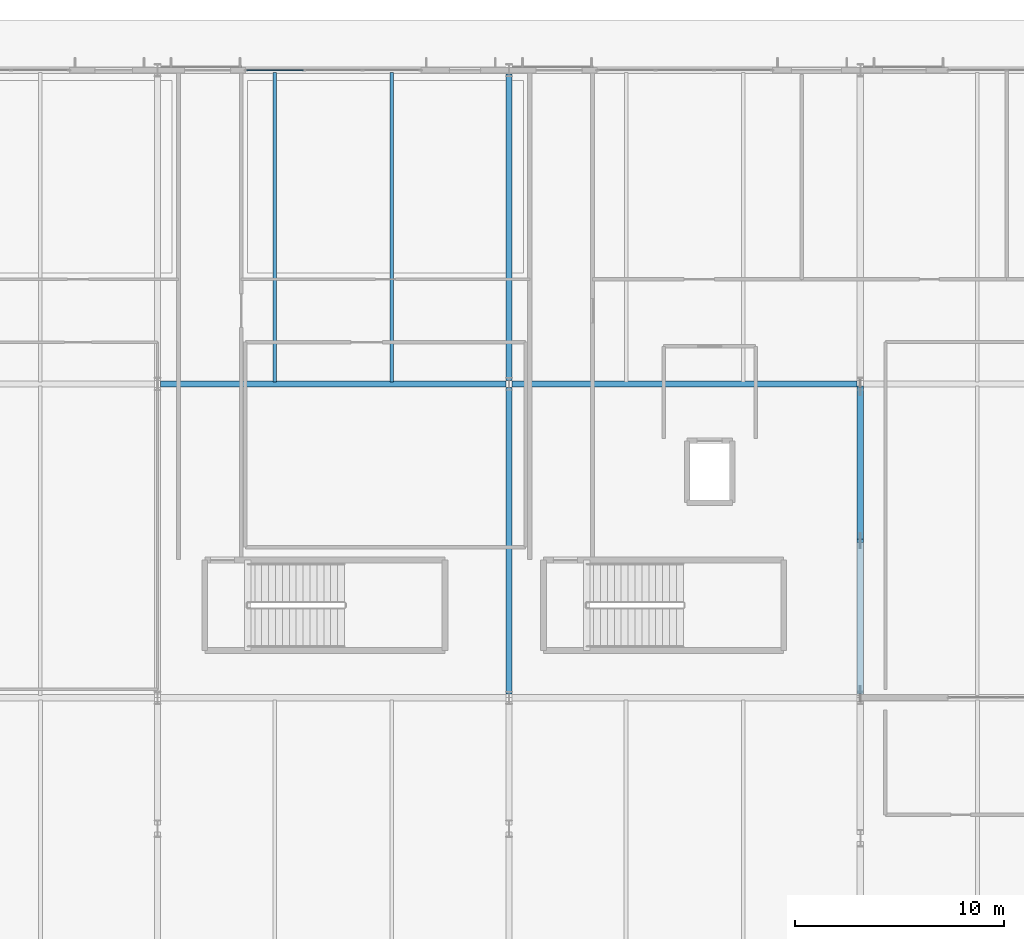
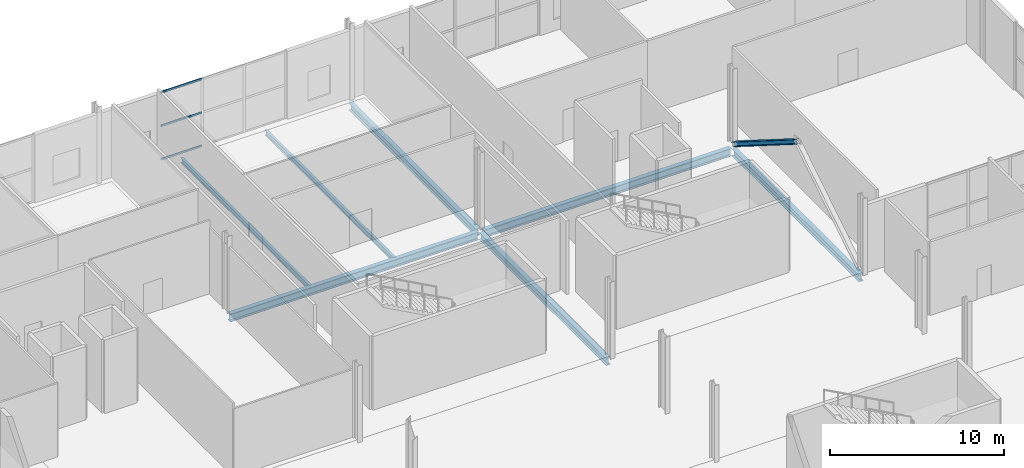
# One storey, part 36 of 87: 7 beams, 4 members, 1 element without a shape of its own.
"""IFC4 building model written with IfcOpenShell, lengths in metres."""

from ifc_helpers import new_model, si_unit, direction, frame, origin, origin_2d, place, context, subcontext, project, spatial, rectangle, i_section, extrude, material, material_profile, profile_set, type_object, element, aggregate, save


model = new_model("IFC4")

# Units and contexts
model_context = context("Model", 3, precision=1e-05, world=origin(), true_north=direction((0.0, 1.0)))
body_context = subcontext(model_context, "Body", "Model", "MODEL_VIEW")
ifc_project = project(units=[si_unit("LENGTHUNIT", "METRE"), si_unit("AREAUNIT", "SQUARE_METRE"), si_unit("VOLUMEUNIT", "CUBIC_METRE"), si_unit("PLANEANGLEUNIT", "RADIAN"), si_unit("MASSUNIT", "GRAM", prefix="KILO")], contexts=[model_context])

# Site, building, storey
site_placement = place(None, origin())
site = spatial("IfcSite", under=ifc_project, at=site_placement, CompositionType="ELEMENT")
building_placement = place(site_placement, origin())
building = spatial("IfcBuilding", under=site, at=building_placement, Name="Kimbaza Rail Terminus", CompositionType="ELEMENT")
storey_placement = place(building_placement, origin())
storey = spatial("IfcBuildingStorey", under=building, at=storey_placement, Name="L00", CompositionType="ELEMENT", Elevation=0.0)

# Curtain wall, members
ifc_material_1 = material(Name="Anodised aluminium framing and solar low-E glazing", Category="aluminium")
curtain_wall_type = type_object("IfcCurtainWallType", Name="ARC-CW-OP1", PredefinedType="USERDEFINED", material=ifc_material_1)
curtain_wall_placement = place(storey_placement, origin())
curtain_wall = element("IfcCurtainWall", 1, at=curtain_wall_placement, inside=storey, type_object=curtain_wall_type, Name="Operations North Curtain Wall L00 Bay 4", ObjectType="UNITISED CURTAIN WALL", PredefinedType="USERDEFINED")
ifc_material_2 = material(Name="Anodised architectural aluminium", Category="aluminium")
ifc_material_profile_1 = material_profile(ifc_material_2, rectangle(XDim=0.06201171875, YDim=0.135009765625, at=origin_2d()), Name="TRANSOM 62x135")
ifc_profile_set_1 = profile_set([ifc_material_profile_1], Name="Anodised architectural aluminium")
member_type_1 = type_object("IfcMemberType", Name="ARC-CWT-05", PredefinedType="USERDEFINED", material=ifc_profile_set_1)
member_1_placement = place(storey_placement, frame((109.862060546875, 133.0, 0.031005859375), z_axis=(1.0, 0.0, 0.0), x_axis=(0.0, 1.0, 0.0)))
member_1 = element("IfcMember", 2, at=member_1_placement, type_object=member_type_1, Name="CW-05 transom 1.1", ObjectType="TRANSOM", PredefinedType="USERDEFINED", context=body_context, shape_type="SweptSolid", body=[
    extrude(rectangle(XDim=0.06201171875, YDim=0.135009765625, at=origin_2d()), origin(), (0.0, 0.0, 1.0), 2.70703125),
])
member_2_placement = place(storey_placement, frame((109.862060546875, 133.0, 2.382568359375), z_axis=(1.0, 0.0, 0.0), x_axis=(0.0, 1.0, 0.0)))
member_2 = element("IfcMember", 3, at=member_2_placement, type_object=member_type_1, Name="CW-05 transom 1.2", ObjectType="TRANSOM", PredefinedType="USERDEFINED", context=body_context, shape_type="SweptSolid", body=[
    extrude(rectangle(XDim=0.06201171875, YDim=0.135009765625, at=origin_2d()), origin(), (0.0, 0.0, 1.0), 2.70703125),
])
member_3_placement = place(storey_placement, frame((109.862060546875, 133.0, 4.73388671875), z_axis=(1.0, 0.0, 0.0), x_axis=(0.0, 1.0, 0.0)))
member_3 = element("IfcMember", 4, at=member_3_placement, type_object=member_type_1, Name="CW-05 transom 1.3", ObjectType="TRANSOM", PredefinedType="USERDEFINED", context=body_context, shape_type="SweptSolid", body=[
    extrude(rectangle(XDim=0.06201171875, YDim=0.135009765625, at=origin_2d()), origin(), (0.0, 0.0, 1.0), 2.70703125),
])
aggregate(curtain_wall, [member_1, member_2, member_3])

# Beams
ifc_material_3 = material(Name="Steel S355", Category="steel")
ifc_material_profile_2 = material_profile(ifc_material_3, i_section(OverallWidth=0.300048828125, OverallDepth=0.5, WebThickness=0.014404296875, FlangeThickness=0.028076171875, FilletRadius=0.027099609375, at=origin_2d()), Name="HEB 500")
ifc_profile_set_2 = profile_set([ifc_material_profile_2], Name="Steel S355")
beam_type_1 = type_object("IfcBeamType", Name="STR-BM-HEB500", PredefinedType="BEAM", material=ifc_profile_set_2)
for number, where, z_axis, x_axis, name in (
    (5, (122.39990234375, 103.175048828125, -0.489990234375), (0.0, 1.0, 0.0), (-1.0, 0.0, 0.0), "Operations Cross Girder L00 X4-Y0"),
    (6, (122.39990234375, 118.175048828125, -0.489990234375), (0.0, 1.0, 0.0), (-1.0, 0.0, 0.0), "Operations Cross Girder L00 X4-Y1"),
    (7, (139.199951171875, 103.175048828125, -0.489990234375), (0.0, 1.0, 0.0), (-1.0, 0.0, 0.0), "Operations Cross Girder L00 X5-Y0"),
):
    element("IfcBeam", number, at=place(storey_placement, frame(where, z_axis=z_axis, x_axis=x_axis)), inside=storey, type_object=beam_type_1, Name=name, PredefinedType="BEAM", context=body_context, shape_type="SweptSolid", body=[
        extrude(i_section(OverallWidth=0.300048828125, OverallDepth=0.5, WebThickness=0.014404296875, FlangeThickness=0.028076171875, FilletRadius=0.027099609375, at=origin_2d()), origin(), (0.0, 0.0, 1.0), 14.64990234375),
    ])
ifc_material_4 = material(Name="Steel S355", Category="steel")
ifc_material_profile_3 = material_profile(ifc_material_4, i_section(OverallWidth=0.300048828125, OverallDepth=0.550048828125, WebThickness=0.014892578125, FlangeThickness=0.029052734375, FilletRadius=0.027099609375, at=origin_2d()), Name="HEB 550")
ifc_profile_set_3 = profile_set([ifc_material_profile_3], Name="Steel S355")
beam_type_2 = type_object("IfcBeamType", Name="STR-BM-HEB550", PredefinedType="BEAM", material=ifc_profile_set_3)
beam_1_placement = place(storey_placement, frame((105.74609375, 118.0, -0.514892578125), z_axis=(1.0, 0.0, 0.0), x_axis=(0.0, 1.0, 0.0)))
element("IfcBeam", 8, at=beam_1_placement, inside=storey, type_object=beam_type_2, Name="Operations Girder L00 X3-Y1", PredefinedType="BEAM", context=body_context, shape_type="SweptSolid", body=[
    extrude(i_section(OverallWidth=0.300048828125, OverallDepth=0.550048828125, WebThickness=0.014892578125, FlangeThickness=0.029052734375, FilletRadius=0.027099609375, at=origin_2d()), origin(), (0.0, 0.0, 1.0), 16.5078125),
])
beam_2_placement = place(storey_placement, frame((122.5458984375, 118.0, -0.514892578125), z_axis=(1.0, 0.0, 0.0), x_axis=(0.0, 1.0, 0.0)))
element("IfcBeam", 9, at=beam_2_placement, inside=storey, type_object=beam_type_2, Name="Operations Girder L00 X4-Y1", PredefinedType="BEAM", context=body_context, shape_type="SweptSolid", body=[
    extrude(i_section(OverallWidth=0.300048828125, OverallDepth=0.550048828125, WebThickness=0.014892578125, FlangeThickness=0.029052734375, FilletRadius=0.027099609375, at=origin_2d()), origin(), (0.0, 0.0, 1.0), 16.508056640625),
])
ifc_material_5 = material(Name="Steel S355", Category="steel")
ifc_material_profile_4 = material_profile(ifc_material_5, i_section(OverallWidth=0.169921875, OverallDepth=0.360107421875, WebThickness=0.008056640625, FlangeThickness=0.0126953125, FilletRadius=0.01806640625, at=origin_2d()), Name="IPE 360")
ifc_profile_set_4 = profile_set([ifc_material_profile_4], Name="Steel S355")
beam_type_3 = type_object("IfcBeamType", Name="STR-BM-IPE360", PredefinedType="JOIST", material=ifc_profile_set_4)
for number, where, z_axis, x_axis, name in (
    (10, (111.199951171875, 118.10009765625, -0.419921875), (0.0, 1.0, 0.0), (-1.0, 0.0, 0.0), "Operations Secondary Joist L00"),
    (11, (116.800048828125, 118.10009765625, -0.419921875), (0.0, 1.0, 0.0), (-1.0, 0.0, 0.0), "Operations Secondary Joist L00"),
):
    element("IfcBeam", number, at=place(storey_placement, frame(where, z_axis=z_axis, x_axis=x_axis)), inside=storey, type_object=beam_type_3, Name=name, PredefinedType="JOIST", context=body_context, shape_type="SweptSolid", body=[
        extrude(i_section(OverallWidth=0.169921875, OverallDepth=0.360107421875, WebThickness=0.008056640625, FlangeThickness=0.0126953125, FilletRadius=0.01806640625, at=origin_2d()), origin(), (0.0, 0.0, 1.0), 14.7998046875),
    ])

# Member
ifc_material_6 = material(Name="Steel S355", Category="steel")
ifc_material_profile_5 = material_profile(ifc_material_6, i_section(OverallWidth=0.300048828125, OverallDepth=0.300048828125, WebThickness=0.010986328125, FlangeThickness=0.01904296875, FilletRadius=0.027099609375, at=origin_2d()), Name="HEB 300")
ifc_profile_set_5 = profile_set([ifc_material_profile_5], Name="Steel S355")
member_type_2 = type_object("IfcMemberType", Name="STR-MB-HEB300", PredefinedType="BRACE", material=ifc_profile_set_5)
member_4_placement = place(storey_placement, frame((139.199951171875, 117.820068359375, 0.050048828125), z_axis=(0.0, -0.846184293395, 0.53289036547), x_axis=(1.0, 0.0, 0.0)))
element("IfcMember", 12, at=member_4_placement, inside=storey, type_object=member_type_2, Name="Core Chevron Brace 5B", PredefinedType="BRACE", context=body_context, shape_type="SweptSolid", body=[
    extrude(i_section(OverallWidth=0.300048828125, OverallDepth=0.300048828125, WebThickness=0.010986328125, FlangeThickness=0.01904296875, FilletRadius=0.027099609375, at=origin_2d()), origin(), (0.0, 0.0, 1.0), 8.650634765625),
])

save(model, "model.ifc")
